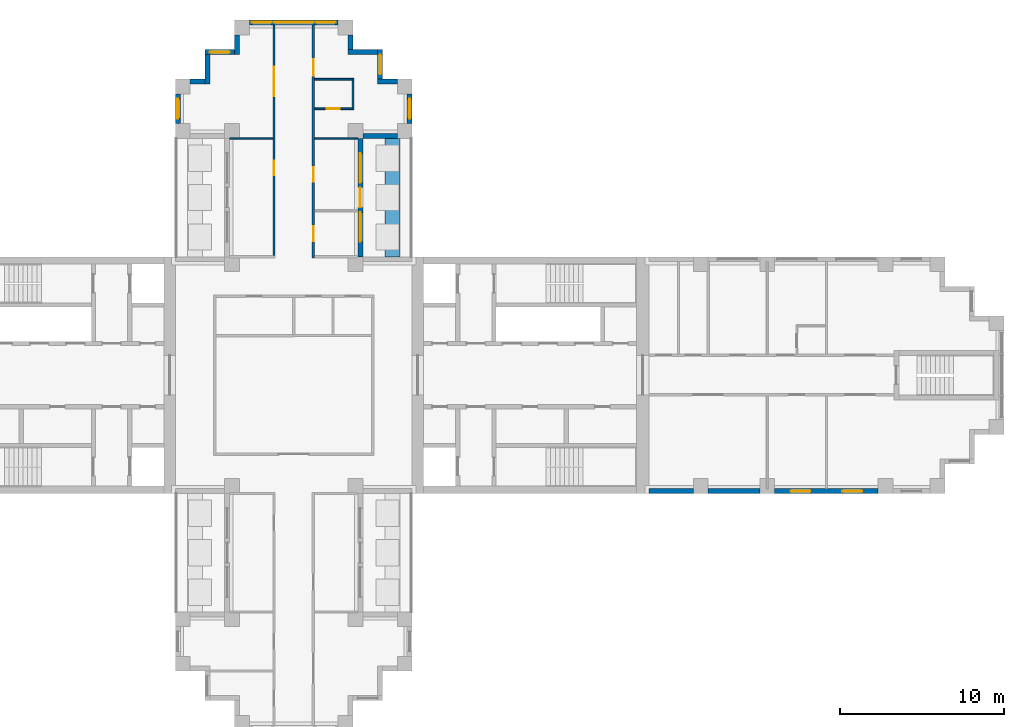
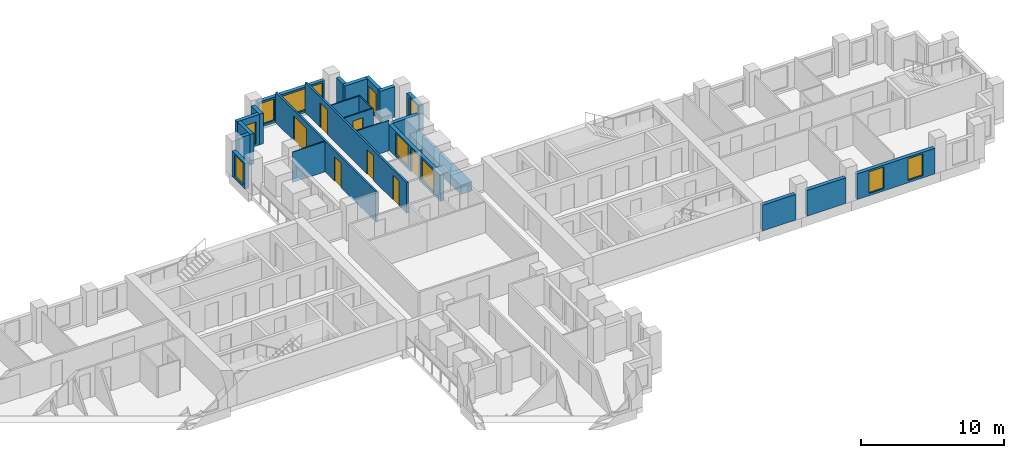
# One storey, part 7 of 11: 24 walls, 11 windows, 7 doors, 18 openings.
"""IFC4 building model written with IfcOpenShell, lengths in metres."""

from ifc_helpers import new_model, si_unit, direction, frame, frame_2d, origin, place, context, subcontext, project, spatial, rectangle, extrude, material, layer, layer_set, type_object, element, fill, save


model = new_model("IFC4")

# Units and contexts
model_context = context("Model", 3, precision=1e-05, world=origin(), true_north=direction((0.0, 1.0)))
body_context = subcontext(model_context, "Body", "Model", "MODEL_VIEW")
ifc_project = project(units=[si_unit("LENGTHUNIT", "METRE"), si_unit("AREAUNIT", "SQUARE_METRE"), si_unit("VOLUMEUNIT", "CUBIC_METRE"), si_unit("PLANEANGLEUNIT", "RADIAN"), si_unit("MASSUNIT", "GRAM", prefix="KILO")], contexts=[model_context])

# Site, building, storey
site_placement = place(None, origin())
site = spatial("IfcSite", under=ifc_project, at=site_placement, CompositionType="ELEMENT")
building_placement = place(site_placement, origin())
building = spatial("IfcBuilding", under=site, at=building_placement, Name="Fustian Cross Tower", CompositionType="ELEMENT")
storey_placement = place(building_placement, frame((0.0, 0.0, 138.300048828125)))
storey = spatial("IfcBuildingStorey", under=building, at=storey_placement, Name="L43", CompositionType="ELEMENT", Elevation=138.300048828125)

# Wall, openings, doors
ifc_material_1 = material(Name="Plasterboard on steel stud", Category="steel")
ifc_layer_1 = layer(ifc_material_1, 0.14990234375)
ifc_layer_set_1 = layer_set([ifc_layer_1], Name="Plasterboard on steel stud")
wall_type_1 = type_object("IfcWallType", Name="COMPARTMENT WALL 150 EI 60", PredefinedType="PARTITIONING", material=ifc_layer_set_1)
wall_1_placement = place(storey_placement, frame((-1.199951171875, 7.27490234375, 0.0), z_axis=(0.0, 0.0, 1.0), x_axis=(0.0, 1.0, 0.0)))
wall_1 = element("IfcWall", 1, at=wall_1_placement, inside=storey, type_object=wall_type_1, Name="Partition 21", PredefinedType="PARTITIONING", context=body_context, shape_type="SweptSolid", body=[
    extrude(rectangle(XDim=14.025146484375, YDim=0.14990234375, at=frame_2d((7.0126953125, 0.0))), origin(), (0.0, 0.0, 1.0), 2.599853515625),
])
opening_1_placement = place(wall_1_placement, frame((4.875, 0.0, 0.0)))
opening_1 = element("IfcOpeningElement", 2, at=opening_1_placement, cuts=wall_1, Name="Opening D20014", PredefinedType="OPENING", context=body_context, shape_type="SweptSolid", body=[
    extrude(rectangle(XDim=0.89990234375, YDim=2.10009765625, at=frame_2d((0.449951171875, 1.050048828125))), frame((0.0, 0.0849609375, 0.0), z_axis=(0.0, -1.0, 0.0), x_axis=(1.0, 0.0, 0.0)), (0.0, 0.0, 1.0), 0.169921875),
])
opening_2_placement = place(wall_1_placement, frame((9.675048828125, 0.0, 0.0)))
opening_2 = element("IfcOpeningElement", 3, at=opening_2_placement, cuts=wall_1, Name="Opening D20015", PredefinedType="OPENING", context=body_context, shape_type="SweptSolid", body=[
    extrude(rectangle(XDim=1.800048828125, YDim=2.10009765625, at=frame_2d((0.89990234375, 1.050048828125))), frame((0.0, 0.0849609375, 0.0), z_axis=(0.0, -1.0, 0.0), x_axis=(1.0, 0.0, 0.0)), (0.0, 0.0, 1.0), 0.169921875),
])
ifc_material_2 = material(Name="Timber fire door set", Category="wood")
door_type_1 = type_object("IfcDoorType", Name="FIRE DOUBLE DOOR 1800 FD30S", OperationType="DOUBLE_DOOR_DOUBLE_SWING", PredefinedType="DOOR", material=ifc_material_2)
door_1_placement = place(opening_2_placement, frame((1.800048828125, 0.0, 0.0), z_axis=(0.0, 0.0, 1.0), x_axis=(-1.0, 0.0, 0.0)))
door_1 = element("IfcDoor", 4, at=door_1_placement, inside=storey, type_object=door_type_1, Name="Door D20015", OperationType="DOUBLE_DOOR_DOUBLE_SWING", OverallHeight=2.10009765625, OverallWidth=1.800048828125, PredefinedType="DOOR", context=body_context, shape_type="SweptSolid", body=[
    extrude(rectangle(XDim=1.800048828125, YDim=2.10009765625, at=frame_2d((0.89990234375, 1.050048828125))), frame((0.0, 0.02490234375, 0.0), z_axis=(0.0, -1.0, 0.0), x_axis=(1.0, 0.0, 0.0)), (0.0, 0.0, 1.0), 0.050048828125),
])
fill(opening_2, door_1)
ifc_material_3 = material(Name="Timber fire door set", Category="wood")
door_type_2 = type_object("IfcDoorType", Name="FIRE SWING DOOR 900 FD30S", OperationType="SINGLE_SWING_LEFT", PredefinedType="DOOR", material=ifc_material_3)
door_2_placement = place(opening_1_placement, origin())
door_2 = element("IfcDoor", 5, at=door_2_placement, inside=storey, type_object=door_type_2, Name="Door D20014", OperationType="SINGLE_SWING_RIGHT", OverallHeight=2.10009765625, OverallWidth=0.89990234375, PredefinedType="DOOR", context=body_context, shape_type="SweptSolid", body=[
    extrude(rectangle(XDim=0.89990234375, YDim=2.10009765625, at=frame_2d((0.449951171875, 1.050048828125))), frame((0.0, 0.02490234375, 0.0), z_axis=(0.0, -1.0, 0.0), x_axis=(1.0, 0.0, 0.0)), (0.0, 0.0, 1.0), 0.050048828125),
])
fill(opening_1, door_2)

wall_2_placement = place(storey_placement, frame((1.199951171875, 7.125, 0.0), z_axis=(0.0, 0.0, 1.0), x_axis=(0.0, 1.0, 0.0)))
wall_2 = element("IfcWall", 6, at=wall_2_placement, inside=storey, type_object=wall_type_1, Name="Partition 27", PredefinedType="PARTITIONING", context=body_context, shape_type="SweptSolid", body=[
    extrude(rectangle(XDim=14.175048828125, YDim=0.14990234375, at=frame_2d((7.08740234375, 0.0))), origin(), (0.0, 0.0, 1.0), 2.599853515625),
])
opening_3_placement = place(wall_2_placement, frame((1.02490234375, 0.0, 0.0)))
opening_3 = element("IfcOpeningElement", 7, at=opening_3_placement, cuts=wall_2, Name="Opening D20016", PredefinedType="OPENING", context=body_context, shape_type="SweptSolid", body=[
    extrude(rectangle(XDim=0.89990234375, YDim=2.10009765625, at=frame_2d((0.449951171875, 1.050048828125))), frame((0.0, 0.0849609375, 0.0), z_axis=(0.0, -1.0, 0.0), x_axis=(1.0, 0.0, 0.0)), (0.0, 0.0, 1.0), 0.169921875),
])
opening_4_placement = place(wall_2_placement, frame((4.625, 0.0, 0.0)))
opening_4 = element("IfcOpeningElement", 8, at=opening_4_placement, cuts=wall_2, Name="Opening D20017", PredefinedType="OPENING", context=body_context, shape_type="SweptSolid", body=[
    extrude(rectangle(XDim=0.89990234375, YDim=2.10009765625, at=frame_2d((0.449951171875, 1.050048828125))), frame((0.0, 0.0849609375, 0.0), z_axis=(0.0, -1.0, 0.0), x_axis=(1.0, 0.0, 0.0)), (0.0, 0.0, 1.0), 0.169921875),
])
opening_5_placement = place(wall_2_placement, frame((11.074951171875, 0.0, 0.0)))
opening_5 = element("IfcOpeningElement", 9, at=opening_5_placement, cuts=wall_2, Name="Opening D20019", PredefinedType="OPENING", context=body_context, shape_type="SweptSolid", body=[
    extrude(rectangle(XDim=1.0, YDim=2.10009765625, at=frame_2d((0.5, 1.050048828125))), frame((0.0, 0.0849609375, 0.0), z_axis=(0.0, -1.0, 0.0), x_axis=(1.0, 0.0, 0.0)), (0.0, 0.0, 1.0), 0.169921875),
])
ifc_material_4 = material(Name="Timber fire door set", Category="wood")
door_type_3 = type_object("IfcDoorType", Name="FIRE SWING DOOR 1000 FD30S", OperationType="SINGLE_SWING_LEFT", PredefinedType="DOOR", material=ifc_material_4)
door_3_placement = place(opening_5_placement, frame((1.0, 0.0, 0.0), z_axis=(0.0, 0.0, 1.0), x_axis=(-1.0, 0.0, 0.0)))
door_3 = element("IfcDoor", 10, at=door_3_placement, inside=storey, type_object=door_type_3, Name="Door D20019", OperationType="SINGLE_SWING_RIGHT", OverallHeight=2.10009765625, OverallWidth=1.0, PredefinedType="DOOR", context=body_context, shape_type="SweptSolid", body=[
    extrude(rectangle(XDim=1.0, YDim=2.10009765625, at=frame_2d((0.5, 1.050048828125))), frame((0.0, 0.02490234375, 0.0), z_axis=(0.0, -1.0, 0.0), x_axis=(1.0, 0.0, 0.0)), (0.0, 0.0, 1.0), 0.050048828125),
])
fill(opening_5, door_3)
door_4_placement = place(opening_3_placement, frame((0.89990234375, 0.0, 0.0), z_axis=(0.0, 0.0, 1.0), x_axis=(-1.0, 0.0, 0.0)))
door_4 = element("IfcDoor", 11, at=door_4_placement, inside=storey, type_object=door_type_2, Name="Door D20016", OperationType="SINGLE_SWING_RIGHT", OverallHeight=2.10009765625, OverallWidth=0.89990234375, PredefinedType="DOOR", context=body_context, shape_type="SweptSolid", body=[
    extrude(rectangle(XDim=0.89990234375, YDim=2.10009765625, at=frame_2d((0.449951171875, 1.050048828125))), frame((0.0, 0.02490234375, 0.0), z_axis=(0.0, -1.0, 0.0), x_axis=(1.0, 0.0, 0.0)), (0.0, 0.0, 1.0), 0.050048828125),
])
fill(opening_3, door_4)
door_5_placement = place(opening_4_placement, frame((0.89990234375, 0.0, 0.0), z_axis=(0.0, 0.0, 1.0), x_axis=(-1.0, 0.0, 0.0)))
door_5 = element("IfcDoor", 12, at=door_5_placement, inside=storey, type_object=door_type_2, Name="Door D20017", OperationType="SINGLE_SWING_RIGHT", OverallHeight=2.10009765625, OverallWidth=0.89990234375, PredefinedType="DOOR", context=body_context, shape_type="SweptSolid", body=[
    extrude(rectangle(XDim=0.89990234375, YDim=2.10009765625, at=frame_2d((0.449951171875, 1.050048828125))), frame((0.0, 0.02490234375, 0.0), z_axis=(0.0, -1.0, 0.0), x_axis=(1.0, 0.0, 0.0)), (0.0, 0.0, 1.0), 0.050048828125),
])
fill(opening_4, door_5)

# Walls
ifc_material_5 = material(Name="Plasterboard on steel stud", Category="steel")
ifc_layer_2 = layer(ifc_material_5, 0.10009765625)
ifc_layer_set_2 = layer_set([ifc_layer_2], Name="Plasterboard on steel stud")
wall_type_2 = type_object("IfcWallType", Name="PARTITION 100 STUD", PredefinedType="PARTITIONING", material=ifc_layer_set_2)
for number, where, z_axis, x_axis, name in (
    (13, (-3.89990234375, 14.39990234375, 0.0), (0.0, 0.0, 1.0), (1.0, 0.0, 0.0), "Partition 19"),
    (14, (1.27490234375, 14.39990234375, 0.0), (0.0, 0.0, 1.0), (1.0, 0.0, 0.0), "Partition 30"),
):
    element("IfcWall", number, at=place(storey_placement, frame(where, z_axis=z_axis, x_axis=x_axis)), inside=storey, type_object=wall_type_2, Name=name, PredefinedType="PARTITIONING", context=body_context, shape_type="SweptSolid", body=[
        extrude(rectangle(XDim=2.625, YDim=0.10009765625, at=frame_2d((1.3125, 0.0))), origin(), (0.0, 0.0, 1.0), 2.599853515625),
    ])

# Wall, opening, door
wall_3_placement = place(storey_placement, frame((1.27490234375, 16.199951171875, 0.0), z_axis=(0.0, 0.0, 1.0), x_axis=(1.0, 0.0, 0.0)))
wall_3 = element("IfcWall", 15, at=wall_3_placement, inside=storey, type_object=wall_type_2, Name="Partition 31", PredefinedType="PARTITIONING", context=body_context, shape_type="SweptSolid", body=[
    extrude(rectangle(XDim=2.375, YDim=0.10009765625, at=frame_2d((1.1875, 0.0))), origin(), (0.0, 0.0, 1.0), 2.599853515625),
])
opening_6_placement = place(wall_3_placement, frame((0.72509765625, 0.0, 0.0)))
opening_6 = element("IfcOpeningElement", 16, at=opening_6_placement, cuts=wall_3, Name="Opening D20018", PredefinedType="OPENING", context=body_context, shape_type="SweptSolid", body=[
    extrude(rectangle(XDim=0.800048828125, YDim=2.10009765625, at=frame_2d((0.39990234375, 1.050048828125))), frame((0.0, 0.06005859375, 0.0), z_axis=(0.0, -1.0, 0.0), x_axis=(1.0, 0.0, 0.0)), (0.0, 0.0, 1.0), 0.1201171875),
])
ifc_material_6 = material(Name="Painted timber", Category="wood")
door_type_4 = type_object("IfcDoorType", Name="SWING DOOR 800", OperationType="SINGLE_SWING_LEFT", PredefinedType="DOOR", material=ifc_material_6)
door_6_placement = place(opening_6_placement, origin())
door_6 = element("IfcDoor", 17, at=door_6_placement, inside=storey, type_object=door_type_4, Name="Door D20018", OperationType="SINGLE_SWING_LEFT", OverallHeight=2.10009765625, OverallWidth=0.800048828125, PredefinedType="DOOR", context=body_context, shape_type="SweptSolid", body=[
    extrude(rectangle(XDim=0.800048828125, YDim=2.10009765625, at=frame_2d((0.39990234375, 1.050048828125))), frame((0.0, 0.02490234375, 0.0), z_axis=(0.0, -1.0, 0.0), x_axis=(1.0, 0.0, 0.0)), (0.0, 0.0, 1.0), 0.050048828125),
])
fill(opening_6, door_6)

# Walls
wall_4_placement = place(storey_placement, frame((1.27490234375, 18.0, 0.0), z_axis=(0.0, 0.0, 1.0), x_axis=(1.0, 0.0, 0.0)))
element("IfcWall", 18, at=wall_4_placement, inside=storey, type_object=wall_type_2, Name="Partition 32", PredefinedType="PARTITIONING", context=body_context, shape_type="SweptSolid", body=[
    extrude(rectangle(XDim=2.375, YDim=0.10009765625, at=frame_2d((1.1875, 0.0))), origin(), (0.0, 0.0, 1.0), 2.599853515625),
])
wall_5_placement = place(storey_placement, frame((3.60009765625, 16.25, 0.0), z_axis=(0.0, 0.0, 1.0), x_axis=(0.0, 1.0, 0.0)))
element("IfcWall", 19, at=wall_5_placement, inside=storey, type_object=wall_type_2, Name="Partition 34", PredefinedType="PARTITIONING", context=body_context, shape_type="SweptSolid", body=[
    extrude(rectangle(XDim=1.699951171875, YDim=0.10009765625, at=frame_2d((0.85009765625, 0.0))), origin(), (0.0, 0.0, 1.0), 2.599853515625),
])
ifc_material_7 = material(Name="Concrete C40/50", Category="concrete")
ifc_layer_3 = layer(ifc_material_7, 0.89990234375)
ifc_layer_set_3 = layer_set([ifc_layer_3], Name="Concrete C40/50")
wall_type_3 = type_object("IfcWallType", Name="PK1 PLANTER 900", PredefinedType="PARAPET", material=ifc_layer_set_3)
wall_6_placement = place(storey_placement, frame((6.0, 7.199951171875, 0.0), z_axis=(0.0, 0.0, 1.0), x_axis=(0.0, 1.0, 0.0)))
element("IfcWall", 20, at=wall_6_placement, inside=storey, type_object=wall_type_3, Name="PLANTER", PredefinedType="PARAPET", context=body_context, shape_type="SweptSolid", body=[
    extrude(rectangle(XDim=7.199951171875, YDim=0.89990234375, at=frame_2d((3.60009765625, 0.0))), origin(), (0.0, 0.0, 1.0), 0.800048828125),
])
ifc_material_8 = material(Name="Dark aluminium cladding on insulated backing wall", Category="aluminium")
ifc_layer_4 = layer(ifc_material_8, 0.300048828125)
ifc_layer_set_4 = layer_set([ifc_layer_4], Name="Dark aluminium cladding on insulated backing wall")
wall_type_4 = type_object("IfcWallType", Name="XW1 EXTERNAL WALL 300", PredefinedType="SOLIDWALL", material=ifc_layer_set_4)
wall_7_placement = place(storey_placement, frame((21.60009765625, -7.050048828125, 0.0), z_axis=(0.0, 0.0, 1.0), x_axis=(1.0, 0.0, 0.0)))
element("IfcWall", 21, at=wall_7_placement, inside=storey, type_object=wall_type_4, Name="External wall", PredefinedType="SOLIDWALL", context=body_context, shape_type="SweptSolid", body=[
    extrude(rectangle(XDim=2.699951171875, YDim=0.300048828125, at=frame_2d((1.35009765625, 0.0))), origin(), (0.0, 0.0, 1.0), 2.199951171875),
])
wall_8_placement = place(storey_placement, frame((25.199951171875, -7.050048828125, 0.0), z_axis=(0.0, 0.0, 1.0), x_axis=(1.0, 0.0, 0.0)))
element("IfcWall", 22, at=wall_8_placement, inside=storey, type_object=wall_type_4, Name="External wall", PredefinedType="SOLIDWALL", context=body_context, shape_type="SweptSolid", body=[
    extrude(rectangle(XDim=3.150146484375, YDim=0.300048828125, at=frame_2d((1.5751953125, 0.0))), origin(), (0.0, 0.0, 1.0), 2.199951171875),
])

# Wall, openings, windows
wall_9_placement = place(storey_placement, frame((29.25, -7.050048828125, 0.0), z_axis=(0.0, 0.0, 1.0), x_axis=(1.0, 0.0, 0.0)))
wall_9 = element("IfcWall", 23, at=wall_9_placement, inside=storey, type_object=wall_type_4, Name="External wall", PredefinedType="SOLIDWALL", context=body_context, shape_type="SweptSolid", body=[
    extrude(rectangle(XDim=6.300048828125, YDim=0.300048828125, at=frame_2d((3.14990234375, 0.0))), origin(), (0.0, 0.0, 1.0), 2.199951171875),
])
opening_7_placement = place(wall_9_placement, frame((0.97509765625, 0.0, 0.199951171875)))
opening_7 = element("IfcOpeningElement", 24, at=opening_7_placement, cuts=wall_9, Name="Opening WN3", PredefinedType="OPENING", context=body_context, shape_type="SweptSolid", body=[
    extrude(rectangle(XDim=1.199951171875, YDim=1.85009765625, at=frame_2d((0.60009765625, 0.925048828125))), frame((0.0, 0.159912109375, 0.0), z_axis=(0.0, -1.0, 0.0), x_axis=(1.0, 0.0, 0.0)), (0.0, 0.0, 1.0), 0.320068359375),
])
opening_8_placement = place(wall_9_placement, frame((4.125, 0.0, 0.199951171875)))
opening_8 = element("IfcOpeningElement", 25, at=opening_8_placement, cuts=wall_9, Name="Opening WN3", PredefinedType="OPENING", context=body_context, shape_type="SweptSolid", body=[
    extrude(rectangle(XDim=1.199951171875, YDim=1.85009765625, at=frame_2d((0.60009765625, 0.925048828125))), frame((0.0, 0.159912109375, 0.0), z_axis=(0.0, -1.0, 0.0), x_axis=(1.0, 0.0, 0.0)), (0.0, 0.0, 1.0), 0.320068359375),
])
ifc_material_9 = material(Name="Dark anodised aluminium and double glazing", Category="aluminium")
window_type_1 = type_object("IfcWindowType", Name="WN3 WINDOW 1200X1850", PartitioningType="SINGLE_PANEL", PredefinedType="WINDOW", material=ifc_material_9)
window_1_placement = place(opening_7_placement, origin())
window_1 = element("IfcWindow", 26, at=window_1_placement, inside=storey, type_object=window_type_1, Name="Window", OverallHeight=1.85009765625, OverallWidth=1.199951171875, PartitioningType="SINGLE_PANEL", PredefinedType="WINDOW", context=body_context, shape_type="SweptSolid", body=[
    extrude(rectangle(XDim=1.199951171875, YDim=1.85009765625, at=frame_2d((0.60009765625, 0.925048828125))), frame((0.0, 0.030029296875, 0.0), z_axis=(0.0, -1.0, 0.0), x_axis=(1.0, 0.0, 0.0)), (0.0, 0.0, 1.0), 0.06005859375),
])
fill(opening_7, window_1)
window_2_placement = place(opening_8_placement, origin())
window_2 = element("IfcWindow", 27, at=window_2_placement, inside=storey, type_object=window_type_1, Name="Window", OverallHeight=1.85009765625, OverallWidth=1.199951171875, PartitioningType="SINGLE_PANEL", PredefinedType="WINDOW", context=body_context, shape_type="SweptSolid", body=[
    extrude(rectangle(XDim=1.199951171875, YDim=1.85009765625, at=frame_2d((0.60009765625, 0.925048828125))), frame((0.0, 0.030029296875, 0.0), z_axis=(0.0, -1.0, 0.0), x_axis=(1.0, 0.0, 0.0)), (0.0, 0.0, 1.0), 0.06005859375),
])
fill(opening_8, window_2)

# Wall, openings, door, windows
wall_10_placement = place(storey_placement, frame((4.050048828125, 7.199951171875, 0.0), z_axis=(0.0, 0.0, 1.0), x_axis=(0.0, 1.0, 0.0)))
wall_10 = element("IfcWall", 28, at=wall_10_placement, inside=storey, type_object=wall_type_4, Name="External wall", PredefinedType="SOLIDWALL", context=body_context, shape_type="SweptSolid", body=[
    extrude(rectangle(XDim=7.199951171875, YDim=0.300048828125, at=frame_2d((3.60009765625, 0.0))), origin(), (0.0, 0.0, 1.0), 2.199951171875),
])
opening_9_placement = place(wall_10_placement, frame((3.0, 0.0, 0.0)))
opening_9 = element("IfcOpeningElement", 29, at=opening_9_placement, cuts=wall_10, Name="Opening XD1", PredefinedType="OPENING", context=body_context, shape_type="SweptSolid", body=[
    extrude(rectangle(XDim=1.199951171875, YDim=2.050048828125, at=frame_2d((0.60009765625, 1.02490234375))), frame((0.0, 0.159912109375, 0.0), z_axis=(0.0, -1.0, 0.0), x_axis=(1.0, 0.0, 0.0)), (0.0, 0.0, 1.0), 0.320068359375),
])
opening_10_placement = place(wall_10_placement, frame((0.89990234375, 0.0, 0.199951171875)))
opening_10 = element("IfcOpeningElement", 30, at=opening_10_placement, cuts=wall_10, Name="Opening WN2", PredefinedType="OPENING", context=body_context, shape_type="SweptSolid", body=[
    extrude(rectangle(XDim=1.800048828125, YDim=1.85009765625, at=frame_2d((0.89990234375, 0.925048828125))), frame((0.0, 0.159912109375, 0.0), z_axis=(0.0, -1.0, 0.0), x_axis=(1.0, 0.0, 0.0)), (0.0, 0.0, 1.0), 0.320068359375),
])
opening_11_placement = place(wall_10_placement, frame((4.5, 0.0, 0.199951171875)))
opening_11 = element("IfcOpeningElement", 31, at=opening_11_placement, cuts=wall_10, Name="Opening WN2", PredefinedType="OPENING", context=body_context, shape_type="SweptSolid", body=[
    extrude(rectangle(XDim=1.800048828125, YDim=1.85009765625, at=frame_2d((0.89990234375, 0.925048828125))), frame((0.0, 0.159912109375, 0.0), z_axis=(0.0, -1.0, 0.0), x_axis=(1.0, 0.0, 0.0)), (0.0, 0.0, 1.0), 0.320068359375),
])
ifc_material_10 = material(Name="Dark anodised aluminium and double glazing", Category="aluminium")
door_type_5 = type_object("IfcDoorType", Name="ED1 BALCONY DOOR 1200X2050", OperationType="SINGLE_SWING_LEFT", PredefinedType="DOOR", material=ifc_material_10)
door_7_placement = place(opening_9_placement, origin())
door_7 = element("IfcDoor", 32, at=door_7_placement, inside=storey, type_object=door_type_5, Name="Balcony door", OperationType="SINGLE_SWING_LEFT", OverallHeight=2.050048828125, OverallWidth=1.199951171875, PredefinedType="DOOR", context=body_context, shape_type="SweptSolid", body=[
    extrude(rectangle(XDim=1.199951171875, YDim=2.050048828125, at=frame_2d((0.60009765625, 1.02490234375))), frame((0.0, 0.02490234375, 0.0), z_axis=(0.0, -1.0, 0.0), x_axis=(1.0, 0.0, 0.0)), (0.0, 0.0, 1.0), 0.050048828125),
])
fill(opening_9, door_7)
ifc_material_11 = material(Name="Dark anodised aluminium and double glazing", Category="aluminium")
window_type_2 = type_object("IfcWindowType", Name="WN2 WINDOW 1800X1850", PartitioningType="SINGLE_PANEL", PredefinedType="WINDOW", material=ifc_material_11)
window_3_placement = place(opening_10_placement, origin())
window_3 = element("IfcWindow", 33, at=window_3_placement, inside=storey, type_object=window_type_2, Name="Window", OverallHeight=1.85009765625, OverallWidth=1.800048828125, PartitioningType="SINGLE_PANEL", PredefinedType="WINDOW", context=body_context, shape_type="SweptSolid", body=[
    extrude(rectangle(XDim=1.800048828125, YDim=1.85009765625, at=frame_2d((0.89990234375, 0.925048828125))), frame((0.0, 0.030029296875, 0.0), z_axis=(0.0, -1.0, 0.0), x_axis=(1.0, 0.0, 0.0)), (0.0, 0.0, 1.0), 0.06005859375),
])
fill(opening_10, window_3)
window_4_placement = place(opening_11_placement, origin())
window_4 = element("IfcWindow", 34, at=window_4_placement, inside=storey, type_object=window_type_2, Name="Window", OverallHeight=1.85009765625, OverallWidth=1.800048828125, PartitioningType="SINGLE_PANEL", PredefinedType="WINDOW", context=body_context, shape_type="SweptSolid", body=[
    extrude(rectangle(XDim=1.800048828125, YDim=1.85009765625, at=frame_2d((0.89990234375, 0.925048828125))), frame((0.0, 0.030029296875, 0.0), z_axis=(0.0, -1.0, 0.0), x_axis=(1.0, 0.0, 0.0)), (0.0, 0.0, 1.0), 0.06005859375),
])
fill(opening_11, window_4)

# Wall
wall_11_placement = place(storey_placement, frame((4.199951171875, 14.550048828125, 0.0), z_axis=(0.0, 0.0, 1.0), x_axis=(1.0, 0.0, 0.0)))
element("IfcWall", 35, at=wall_11_placement, inside=storey, type_object=wall_type_4, Name="External wall", PredefinedType="SOLIDWALL", context=body_context, shape_type="SweptSolid", body=[
    extrude(rectangle(XDim=2.10009765625, YDim=0.300048828125, at=frame_2d((1.050048828125, 0.0))), origin(), (0.0, 0.0, 1.0), 2.199951171875),
])

# Wall, opening, window
wall_12_placement = place(storey_placement, frame((7.050048828125, 15.300048828125, 0.0), z_axis=(0.0, 0.0, 1.0), x_axis=(0.0, 1.0, 0.0)))
wall_12 = element("IfcWall", 36, at=wall_12_placement, inside=storey, type_object=wall_type_4, Name="External wall", PredefinedType="SOLIDWALL", context=body_context, shape_type="SweptSolid", body=[
    extrude(rectangle(XDim=1.800048828125, YDim=0.300048828125, at=frame_2d((0.89990234375, 0.0))), origin(), (0.0, 0.0, 1.0), 2.199951171875),
])
opening_12_placement = place(wall_12_placement, frame((0.300048828125, 0.0, 0.199951171875)))
opening_12 = element("IfcOpeningElement", 37, at=opening_12_placement, cuts=wall_12, Name="Opening WN3", PredefinedType="OPENING", context=body_context, shape_type="SweptSolid", body=[
    extrude(rectangle(XDim=1.199951171875, YDim=1.85009765625, at=frame_2d((0.60009765625, 0.925048828125))), frame((0.0, 0.159912109375, 0.0), z_axis=(0.0, -1.0, 0.0), x_axis=(1.0, 0.0, 0.0)), (0.0, 0.0, 1.0), 0.320068359375),
])
window_5_placement = place(opening_12_placement, origin())
window_5 = element("IfcWindow", 38, at=window_5_placement, inside=storey, type_object=window_type_1, Name="Window", OverallHeight=1.85009765625, OverallWidth=1.199951171875, PartitioningType="SINGLE_PANEL", PredefinedType="WINDOW", context=body_context, shape_type="SweptSolid", body=[
    extrude(rectangle(XDim=1.199951171875, YDim=1.85009765625, at=frame_2d((0.60009765625, 0.925048828125))), frame((0.0, 0.030029296875, 0.0), z_axis=(0.0, -1.0, 0.0), x_axis=(1.0, 0.0, 0.0)), (0.0, 0.0, 1.0), 0.06005859375),
])
fill(opening_12, window_5)

# Wall
wall_13_placement = place(storey_placement, frame((6.300048828125, 17.85009765625, 0.0), z_axis=(0.0, 0.0, 1.0), x_axis=(-1.0, 0.0, 0.0)))
element("IfcWall", 39, at=wall_13_placement, inside=storey, type_object=wall_type_4, Name="External wall", PredefinedType="SOLIDWALL", context=body_context, shape_type="SweptSolid", body=[
    extrude(rectangle(XDim=1.199951171875, YDim=0.300048828125, at=frame_2d((0.60009765625, 0.0))), origin(), (0.0, 0.0, 1.0), 2.599853515625),
])

# Wall, opening, window
wall_14_placement = place(storey_placement, frame((5.25, 18.0, 0.0), z_axis=(0.0, 0.0, 1.0), x_axis=(0.0, 1.0, 0.0)))
wall_14 = element("IfcWall", 40, at=wall_14_placement, inside=storey, type_object=wall_type_4, Name="External wall", PredefinedType="SOLIDWALL", context=body_context, shape_type="SweptSolid", body=[
    extrude(rectangle(XDim=1.800048828125, YDim=0.300048828125, at=frame_2d((0.89990234375, 0.0))), origin(), (0.0, 0.0, 1.0), 2.599853515625),
])
opening_13_placement = place(wall_14_placement, frame((0.300048828125, 0.0, 0.199951171875)))
opening_13 = element("IfcOpeningElement", 41, at=opening_13_placement, cuts=wall_14, Name="Opening WN3", PredefinedType="OPENING", context=body_context, shape_type="SweptSolid", body=[
    extrude(rectangle(XDim=1.199951171875, YDim=1.85009765625, at=frame_2d((0.60009765625, 0.925048828125))), frame((0.0, 0.159912109375, 0.0), z_axis=(0.0, -1.0, 0.0), x_axis=(1.0, 0.0, 0.0)), (0.0, 0.0, 1.0), 0.320068359375),
])
window_6_placement = place(opening_13_placement, origin())
window_6 = element("IfcWindow", 42, at=window_6_placement, inside=storey, type_object=window_type_1, Name="Window", OverallHeight=1.85009765625, OverallWidth=1.199951171875, PartitioningType="SINGLE_PANEL", PredefinedType="WINDOW", context=body_context, shape_type="SweptSolid", body=[
    extrude(rectangle(XDim=1.199951171875, YDim=1.85009765625, at=frame_2d((0.60009765625, 0.925048828125))), frame((0.0, 0.030029296875, 0.0), z_axis=(0.0, -1.0, 0.0), x_axis=(1.0, 0.0, 0.0)), (0.0, 0.0, 1.0), 0.06005859375),
])
fill(opening_13, window_6)

# Walls
wall_15_placement = place(storey_placement, frame((5.10009765625, 19.64990234375, 0.0), z_axis=(0.0, 0.0, 1.0), x_axis=(-1.0, 0.0, 0.0)))
element("IfcWall", 43, at=wall_15_placement, inside=storey, type_object=wall_type_4, Name="External wall", PredefinedType="SOLIDWALL", context=body_context, shape_type="SweptSolid", body=[
    extrude(rectangle(XDim=1.800048828125, YDim=0.300048828125, at=frame_2d((0.89990234375, 0.0))), origin(), (0.0, 0.0, 1.0), 2.599853515625),
])
wall_16_placement = place(storey_placement, frame((3.449951171875, 19.800048828125, 0.0), z_axis=(0.0, 0.0, 1.0), x_axis=(0.0, 1.0, 0.0)))
element("IfcWall", 44, at=wall_16_placement, inside=storey, type_object=wall_type_4, Name="External wall", PredefinedType="SOLIDWALL", context=body_context, shape_type="SweptSolid", body=[
    extrude(rectangle(XDim=0.89990234375, YDim=0.300048828125, at=frame_2d((0.449951171875, 0.0))), origin(), (0.0, 0.0, 1.0), 2.599853515625),
])

# Wall, openings, windows
wall_17_placement = place(storey_placement, frame((2.699951171875, 21.449951171875, 0.0), z_axis=(0.0, 0.0, 1.0), x_axis=(-1.0, 0.0, 0.0)))
wall_17 = element("IfcWall", 45, at=wall_17_placement, inside=storey, type_object=wall_type_4, Name="External wall", PredefinedType="SOLIDWALL", context=body_context, shape_type="SweptSolid", body=[
    extrude(rectangle(XDim=5.39990234375, YDim=0.300048828125, at=frame_2d((2.699951171875, 0.0))), origin(), (0.0, 0.0, 1.0), 2.199951171875),
])
opening_14_placement = place(wall_17_placement, frame((1.5, 0.0, 0.199951171875)))
opening_14 = element("IfcOpeningElement", 46, at=opening_14_placement, cuts=wall_17, Name="Opening WN1", PredefinedType="OPENING", context=body_context, shape_type="SweptSolid", body=[
    extrude(rectangle(XDim=2.39990234375, YDim=1.85009765625, at=frame_2d((1.199951171875, 0.925048828125))), frame((0.0, 0.159912109375, 0.0), z_axis=(0.0, -1.0, 0.0), x_axis=(1.0, 0.0, 0.0)), (0.0, 0.0, 1.0), 0.320068359375),
])
opening_15_placement = place(wall_17_placement, frame((0.14990234375, 0.0, 0.199951171875)))
opening_15 = element("IfcOpeningElement", 47, at=opening_15_placement, cuts=wall_17, Name="Opening WN3", PredefinedType="OPENING", context=body_context, shape_type="SweptSolid", body=[
    extrude(rectangle(XDim=1.199951171875, YDim=1.85009765625, at=frame_2d((0.60009765625, 0.925048828125))), frame((0.0, 0.159912109375, 0.0), z_axis=(0.0, -1.0, 0.0), x_axis=(1.0, 0.0, 0.0)), (0.0, 0.0, 1.0), 0.320068359375),
])
opening_16_placement = place(wall_17_placement, frame((4.050048828125, 0.0, 0.199951171875)))
opening_16 = element("IfcOpeningElement", 48, at=opening_16_placement, cuts=wall_17, Name="Opening WN3", PredefinedType="OPENING", context=body_context, shape_type="SweptSolid", body=[
    extrude(rectangle(XDim=1.199951171875, YDim=1.85009765625, at=frame_2d((0.60009765625, 0.925048828125))), frame((0.0, 0.159912109375, 0.0), z_axis=(0.0, -1.0, 0.0), x_axis=(1.0, 0.0, 0.0)), (0.0, 0.0, 1.0), 0.320068359375),
])
ifc_material_12 = material(Name="Dark anodised aluminium and double glazing", Category="aluminium")
window_type_3 = type_object("IfcWindowType", Name="WN1 WINDOW 2400X1850", PartitioningType="SINGLE_PANEL", PredefinedType="WINDOW", material=ifc_material_12)
window_7_placement = place(opening_14_placement, origin())
window_7 = element("IfcWindow", 49, at=window_7_placement, inside=storey, type_object=window_type_3, Name="Window", OverallHeight=1.85009765625, OverallWidth=2.39990234375, PartitioningType="SINGLE_PANEL", PredefinedType="WINDOW", context=body_context, shape_type="SweptSolid", body=[
    extrude(rectangle(XDim=2.39990234375, YDim=1.85009765625, at=frame_2d((1.199951171875, 0.925048828125))), frame((0.0, 0.030029296875, 0.0), z_axis=(0.0, -1.0, 0.0), x_axis=(1.0, 0.0, 0.0)), (0.0, 0.0, 1.0), 0.06005859375),
])
fill(opening_14, window_7)
window_8_placement = place(opening_15_placement, origin())
window_8 = element("IfcWindow", 50, at=window_8_placement, inside=storey, type_object=window_type_1, Name="Window", OverallHeight=1.85009765625, OverallWidth=1.199951171875, PartitioningType="SINGLE_PANEL", PredefinedType="WINDOW", context=body_context, shape_type="SweptSolid", body=[
    extrude(rectangle(XDim=1.199951171875, YDim=1.85009765625, at=frame_2d((0.60009765625, 0.925048828125))), frame((0.0, 0.030029296875, 0.0), z_axis=(0.0, -1.0, 0.0), x_axis=(1.0, 0.0, 0.0)), (0.0, 0.0, 1.0), 0.06005859375),
])
fill(opening_15, window_8)
window_9_placement = place(opening_16_placement, origin())
window_9 = element("IfcWindow", 51, at=window_9_placement, inside=storey, type_object=window_type_1, Name="Window", OverallHeight=1.85009765625, OverallWidth=1.199951171875, PartitioningType="SINGLE_PANEL", PredefinedType="WINDOW", context=body_context, shape_type="SweptSolid", body=[
    extrude(rectangle(XDim=1.199951171875, YDim=1.85009765625, at=frame_2d((0.60009765625, 0.925048828125))), frame((0.0, 0.030029296875, 0.0), z_axis=(0.0, -1.0, 0.0), x_axis=(1.0, 0.0, 0.0)), (0.0, 0.0, 1.0), 0.06005859375),
])
fill(opening_16, window_9)

# Wall
wall_18_placement = place(storey_placement, frame((-3.449951171875, 20.699951171875, 0.0), z_axis=(0.0, 0.0, 1.0), x_axis=(0.0, -1.0, 0.0)))
element("IfcWall", 52, at=wall_18_placement, inside=storey, type_object=wall_type_4, Name="External wall", PredefinedType="SOLIDWALL", context=body_context, shape_type="SweptSolid", body=[
    extrude(rectangle(XDim=1.199951171875, YDim=0.300048828125, at=frame_2d((0.60009765625, 0.0))), origin(), (0.0, 0.0, 1.0), 2.599853515625),
])

# Wall, opening, window
wall_19_placement = place(storey_placement, frame((-3.60009765625, 19.64990234375, 0.0), z_axis=(0.0, 0.0, 1.0), x_axis=(-1.0, 0.0, 0.0)))
wall_19 = element("IfcWall", 53, at=wall_19_placement, inside=storey, type_object=wall_type_4, Name="External wall", PredefinedType="SOLIDWALL", context=body_context, shape_type="SweptSolid", body=[
    extrude(rectangle(XDim=1.7998046875, YDim=0.300048828125, at=frame_2d((0.89990234375, 0.0))), origin(), (0.0, 0.0, 1.0), 2.599853515625),
])
opening_17_placement = place(wall_19_placement, frame((0.300048828125, 0.0, 0.199951171875)))
opening_17 = element("IfcOpeningElement", 54, at=opening_17_placement, cuts=wall_19, Name="Opening WN3", PredefinedType="OPENING", context=body_context, shape_type="SweptSolid", body=[
    extrude(rectangle(XDim=1.199951171875, YDim=1.85009765625, at=frame_2d((0.60009765625, 0.925048828125))), frame((0.0, 0.159912109375, 0.0), z_axis=(0.0, -1.0, 0.0), x_axis=(1.0, 0.0, 0.0)), (0.0, 0.0, 1.0), 0.320068359375),
])
window_10_placement = place(opening_17_placement, origin())
window_10 = element("IfcWindow", 55, at=window_10_placement, inside=storey, type_object=window_type_1, Name="Window", OverallHeight=1.85009765625, OverallWidth=1.199951171875, PartitioningType="SINGLE_PANEL", PredefinedType="WINDOW", context=body_context, shape_type="SweptSolid", body=[
    extrude(rectangle(XDim=1.199951171875, YDim=1.85009765625, at=frame_2d((0.60009765625, 0.925048828125))), frame((0.0, 0.030029296875, 0.0), z_axis=(0.0, -1.0, 0.0), x_axis=(1.0, 0.0, 0.0)), (0.0, 0.0, 1.0), 0.06005859375),
])
fill(opening_17, window_10)

# Walls
wall_20_placement = place(storey_placement, frame((-5.25, 19.5, 0.0), z_axis=(0.0, 0.0, 1.0), x_axis=(0.0, -1.0, 0.0)))
element("IfcWall", 56, at=wall_20_placement, inside=storey, type_object=wall_type_4, Name="External wall", PredefinedType="SOLIDWALL", context=body_context, shape_type="SweptSolid", body=[
    extrude(rectangle(XDim=1.800048828125, YDim=0.300048828125, at=frame_2d((0.89990234375, 0.0))), origin(), (0.0, 0.0, 1.0), 2.599853515625),
])
wall_21_placement = place(storey_placement, frame((-5.39990234375, 17.85009765625, 0.0), z_axis=(0.0, 0.0, 1.0), x_axis=(-1.0, 0.0, 0.0)))
element("IfcWall", 57, at=wall_21_placement, inside=storey, type_object=wall_type_4, Name="External wall", PredefinedType="SOLIDWALL", context=body_context, shape_type="SweptSolid", body=[
    extrude(rectangle(XDim=0.900146484375, YDim=0.300048828125, at=frame_2d((0.4501953125, 0.0))), origin(), (0.0, 0.0, 1.0), 2.599853515625),
])

# Wall, opening, window
wall_22_placement = place(storey_placement, frame((-7.050048828125, 17.10009765625, 0.0), z_axis=(0.0, 0.0, 1.0), x_axis=(0.0, -1.0, 0.0)))
wall_22 = element("IfcWall", 58, at=wall_22_placement, inside=storey, type_object=wall_type_4, Name="External wall", PredefinedType="SOLIDWALL", context=body_context, shape_type="SweptSolid", body=[
    extrude(rectangle(XDim=1.800048828125, YDim=0.300048828125, at=frame_2d((0.89990234375, 0.0))), origin(), (0.0, 0.0, 1.0), 2.199951171875),
])
opening_18_placement = place(wall_22_placement, frame((0.300048828125, 0.0, 0.199951171875)))
opening_18 = element("IfcOpeningElement", 59, at=opening_18_placement, cuts=wall_22, Name="Opening WN3", PredefinedType="OPENING", context=body_context, shape_type="SweptSolid", body=[
    extrude(rectangle(XDim=1.199951171875, YDim=1.85009765625, at=frame_2d((0.60009765625, 0.925048828125))), frame((0.0, 0.159912109375, 0.0), z_axis=(0.0, -1.0, 0.0), x_axis=(1.0, 0.0, 0.0)), (0.0, 0.0, 1.0), 0.320068359375),
])
window_11_placement = place(opening_18_placement, origin())
window_11 = element("IfcWindow", 60, at=window_11_placement, inside=storey, type_object=window_type_1, Name="Window", OverallHeight=1.85009765625, OverallWidth=1.199951171875, PartitioningType="SINGLE_PANEL", PredefinedType="WINDOW", context=body_context, shape_type="SweptSolid", body=[
    extrude(rectangle(XDim=1.199951171875, YDim=1.85009765625, at=frame_2d((0.60009765625, 0.925048828125))), frame((0.0, 0.030029296875, 0.0), z_axis=(0.0, -1.0, 0.0), x_axis=(1.0, 0.0, 0.0)), (0.0, 0.0, 1.0), 0.06005859375),
])
fill(opening_18, window_11)

save(model, "model.ifc")
